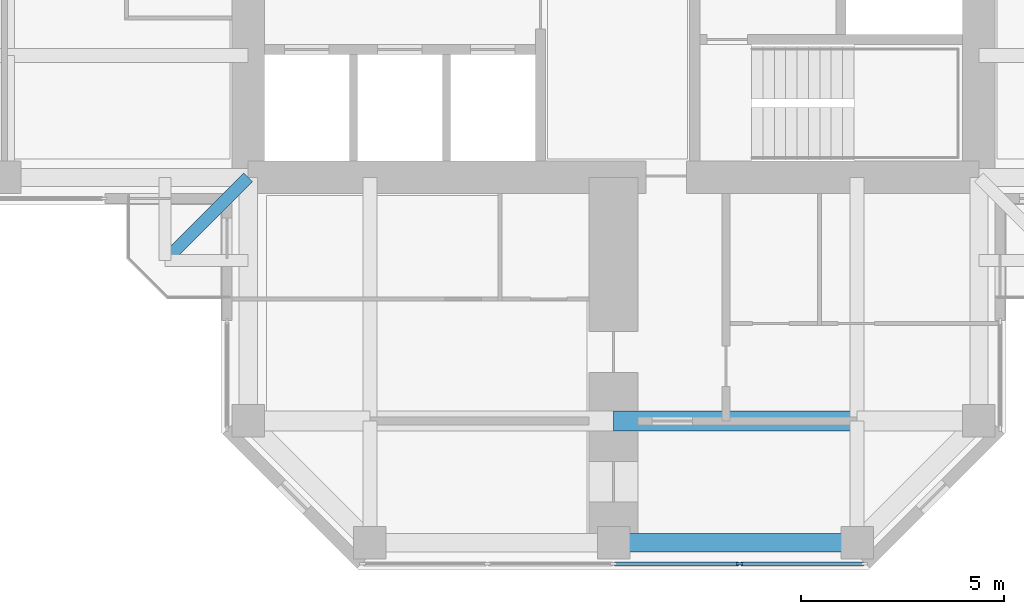
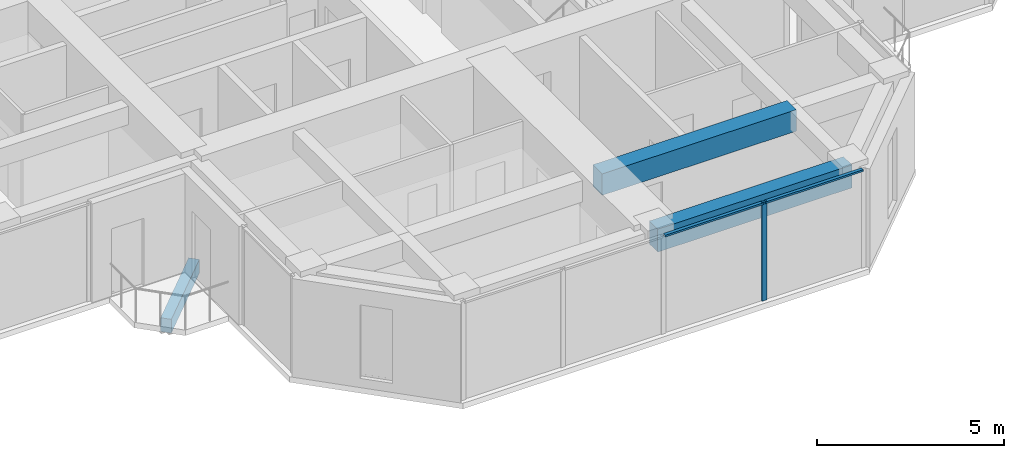
# One storey, part 3 of 13: 3 beams, 3 members, 1 element without a shape of its own.
"""IFC4 building model written with IfcOpenShell, lengths in metres."""

from ifc_helpers import new_model, si_unit, direction, frame, origin, origin_2d, place, context, subcontext, project, spatial, rectangle, extrude, material, material_profile, profile_set, type_object, element, aggregate, save


model = new_model("IFC4")

# Units and contexts
model_context = context("Model", 3, precision=1e-05, world=origin(), true_north=direction((0.0, 1.0)))
body_context = subcontext(model_context, "Body", "Model", "MODEL_VIEW")
ifc_project = project(units=[si_unit("LENGTHUNIT", "METRE"), si_unit("AREAUNIT", "SQUARE_METRE"), si_unit("VOLUMEUNIT", "CUBIC_METRE"), si_unit("PLANEANGLEUNIT", "RADIAN"), si_unit("MASSUNIT", "GRAM", prefix="KILO")], contexts=[model_context])

# Site, building, storey
site_placement = place(None, origin())
site = spatial("IfcSite", under=ifc_project, at=site_placement, CompositionType="ELEMENT")
building_placement = place(site_placement, origin())
building = spatial("IfcBuilding", under=site, at=building_placement, Name="Torre Cruceta", CompositionType="ELEMENT")
storey_placement = place(building_placement, frame((0.0, 0.0, 235.699951171875)))
storey = spatial("IfcBuildingStorey", under=building, at=storey_placement, Name="L60", CompositionType="ELEMENT", Elevation=235.699951171875)

# Beams
ifc_material_1 = material(Name="Concrete G60 (fck 60 MPa)", Category="concrete")
ifc_material_profile_1 = material_profile(ifc_material_1, rectangle(XDim=0.300048828125, YDim=0.449951171875, at=origin_2d()), Name="RC 300X450")
ifc_profile_set_1 = profile_set([ifc_material_profile_1], Name="Concrete G60 (fck 60 MPa)")
beam_type_1 = type_object("IfcBeamType", Name="BALCONY CANTILEVER BEAM RC 300X450", PredefinedType="BEAM", material=ifc_profile_set_1)
beam_1_placement = place(storey_placement, frame((-9.0, -9.0, -0.405029296875), z_axis=(-0.707106781187, -0.707106781187, 0.0), x_axis=(0.707106781187, -0.707106781187, 0.0)))
element("IfcBeam", 1, at=beam_1_placement, inside=storey, type_object=beam_type_1, Name="BB1 balcony beam L60 W", PredefinedType="BEAM", context=body_context, shape_type="SweptSolid", body=[
    extrude(rectangle(XDim=0.300048828125, YDim=0.449951171875, at=origin_2d()), origin(), (0.0, 0.0, 1.0), 2.89990234375),
])
ifc_material_2 = material(Name="Concrete G60 (fck 60 MPa)", Category="concrete")
ifc_material_profile_2 = material_profile(ifc_material_2, rectangle(XDim=0.5, YDim=0.699951171875, at=origin_2d()), Name="RC 500X700")
ifc_profile_set_2 = profile_set([ifc_material_profile_2], Name="Concrete G60 (fck 60 MPa)")
beam_type_2 = type_object("IfcBeamType", Name="CROSS BEAM RC 500X700", PredefinedType="BEAM", material=ifc_profile_set_2)
beam_2_placement = place(storey_placement, frame((0.0, -15.0, 2.8701171875), z_axis=(1.0, 0.0, 0.0), x_axis=(0.0, 1.0, 0.0)))
element("IfcBeam", 2, at=beam_2_placement, inside=storey, type_object=beam_type_2, Name="GB7 L60 S cross15 3", PredefinedType="BEAM", context=body_context, shape_type="SweptSolid", body=[
    extrude(rectangle(XDim=0.5, YDim=0.699951171875, at=origin_2d()), origin(), (0.0, 0.0, 1.0), 6.0),
])

# Curtain wall, members
ifc_material_3 = material(Name="Aluminium unitised curtain wall", Category="aluminium")
curtain_wall_type = type_object("IfcCurtainWallType", Name="CURTAIN WALL CW-D CO-LIVING UPPER", PredefinedType="USERDEFINED", material=ifc_material_3)
curtain_wall_placement = place(storey_placement, origin())
curtain_wall = element("IfcCurtainWall", 3, at=curtain_wall_placement, inside=storey, type_object=curtain_wall_type, Name="CW-D L60 S tip 17", ObjectType="UNITISED", PredefinedType="USERDEFINED")
ifc_material_4 = material(Name="Aluminium mullion", Category="aluminium")
ifc_material_profile_3 = material_profile(ifc_material_4, rectangle(XDim=0.06005859375, YDim=0.14990234375, at=origin_2d()), Name="AL 60X150")
ifc_profile_set_3 = profile_set([ifc_material_profile_3], Name="Aluminium mullion")
member_type_1 = type_object("IfcMemberType", Name="CW-D MULLION 60X150", PredefinedType="MULLION", material=ifc_profile_set_3)
member_1_placement = place(storey_placement, frame((3.107666015625, -18.52001953125, 0.0), z_axis=(0.0, 0.0, 1.0), x_axis=(0.0, 1.0, 0.0)))
member_1 = element("IfcMember", 4, at=member_1_placement, type_object=member_type_1, Name="CW-D mullion 4", PredefinedType="MULLION", context=body_context, shape_type="SweptSolid", body=[
    extrude(rectangle(XDim=0.06005859375, YDim=0.14990234375, at=origin_2d()), origin(), (0.0, 0.0, 1.0), 3.219970703125),
])
ifc_material_5 = material(Name="Aluminium transom", Category="aluminium")
ifc_material_profile_4 = material_profile(ifc_material_5, rectangle(XDim=0.10009765625, YDim=0.06005859375, at=origin_2d()), Name="AL 100X60")
ifc_profile_set_4 = profile_set([ifc_material_profile_4], Name="Aluminium transom")
member_type_2 = type_object("IfcMemberType", Name="CW-D TRANSOM 60X100", PredefinedType="USERDEFINED", material=ifc_profile_set_4)
member_2_placement = place(storey_placement, frame((0.030029296875, -18.52001953125, 3.18994140625), z_axis=(1.0, 0.0, 0.0), x_axis=(0.0, 1.0, 0.0)))
member_2 = element("IfcMember", 5, at=member_2_placement, type_object=member_type_2, Name="CW-D transom 3", ObjectType="TRANSOM", PredefinedType="USERDEFINED", context=body_context, shape_type="SweptSolid", body=[
    extrude(rectangle(XDim=0.10009765625, YDim=0.06005859375, at=origin_2d()), origin(), (0.0, 0.0, 1.0), 3.047607421875),
])
member_3_placement = place(storey_placement, frame((3.1376953125, -18.52001953125, 3.18994140625), z_axis=(1.0, 0.0, 0.0), x_axis=(0.0, 1.0, 0.0)))
member_3 = element("IfcMember", 6, at=member_3_placement, type_object=member_type_2, Name="CW-D transom 4", ObjectType="TRANSOM", PredefinedType="USERDEFINED", context=body_context, shape_type="SweptSolid", body=[
    extrude(rectangle(XDim=0.10009765625, YDim=0.06005859375, at=origin_2d()), origin(), (0.0, 0.0, 1.0), 3.017578125),
])
aggregate(curtain_wall, [member_1, member_2, member_3])

# Beam
ifc_material_6 = material(Name="Concrete G60 (fck 60 MPa)", Category="concrete")
ifc_material_profile_5 = material_profile(ifc_material_6, rectangle(XDim=0.449951171875, YDim=0.75, at=origin_2d()), Name="RC 450X750")
ifc_profile_set_5 = profile_set([ifc_material_profile_5], Name="Concrete G60 (fck 60 MPa)")
beam_type_3 = type_object("IfcBeamType", Name="SPANDREL BEAM RC 450X750", PredefinedType="SPANDREL", material=ifc_profile_set_5)
beam_3_placement = place(storey_placement, frame((0.0, -18.0, 2.844970703125), z_axis=(1.0, 0.0, 0.0), x_axis=(0.0, 1.0, 0.0)))
element("IfcBeam", 7, at=beam_3_placement, inside=storey, type_object=beam_type_3, Name="SB7 L60 S tip 2", PredefinedType="SPANDREL", context=body_context, shape_type="SweptSolid", body=[
    extrude(rectangle(XDim=0.449951171875, YDim=0.75, at=origin_2d()), origin(), (0.0, 0.0, 1.0), 6.0),
])

save(model, "model.ifc")
